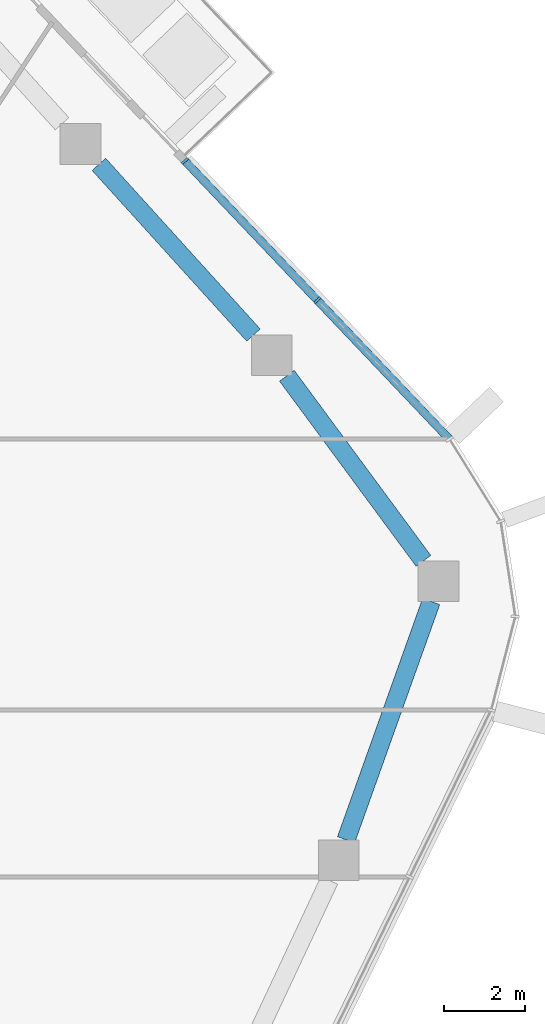
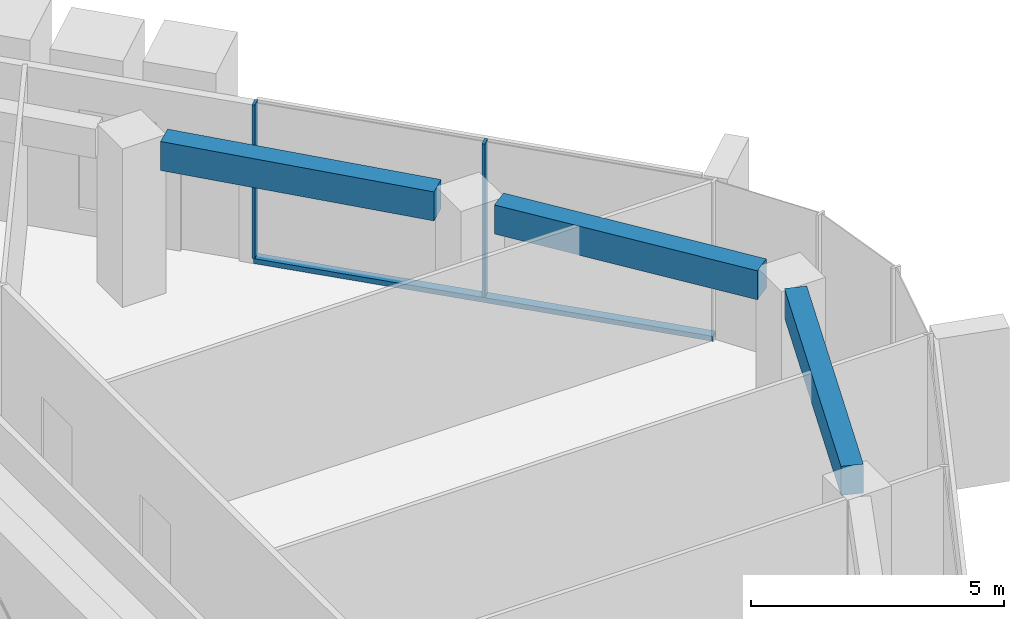
# One storey, part 8 of 23: 3 beams, 3 members, 1 element without a shape of its own.
"""IFC4 building model written with IfcOpenShell, lengths in metres."""

from ifc_helpers import new_model, si_unit, direction, frame, origin, origin_2d, place, context, subcontext, project, spatial, rectangle, extrude, material, layer, layer_set, material_profile, profile_set, type_object, element, aggregate, save


model = new_model("IFC4")

# Units and contexts
model_context = context("Model", 3, precision=1e-05, world=origin(), true_north=direction((0.0, 1.0)))
body_context = subcontext(model_context, "Body", "Model", "MODEL_VIEW")
ifc_project = project(units=[si_unit("LENGTHUNIT", "METRE"), si_unit("AREAUNIT", "SQUARE_METRE"), si_unit("VOLUMEUNIT", "CUBIC_METRE"), si_unit("PLANEANGLEUNIT", "RADIAN"), si_unit("MASSUNIT", "GRAM", prefix="KILO")], contexts=[model_context])

# Site, building, storey
site_placement = place(None, origin())
site = spatial("IfcSite", under=ifc_project, at=site_placement, CompositionType="ELEMENT")
building_placement = place(site_placement, origin())
building = spatial("IfcBuilding", under=site, at=building_placement, Name="Dongbaek Canopy Tower", CompositionType="ELEMENT")
storey_placement = place(building_placement, frame((0.0, 0.0, 336.199951171875)))
storey = spatial("IfcBuildingStorey", under=building, at=storey_placement, Name="L72", CompositionType="ELEMENT", Elevation=336.199951171875)

# Curtain wall, members
ifc_material_1 = material(Name="Aluminium 6063-T6 pale anodised", Category="aluminium")
ifc_layer = layer(ifc_material_1, 0.199951171875)
ifc_layer_set = layer_set([ifc_layer], Name="CW-1 unitised tower curtain wall")
curtain_wall_type = type_object("IfcCurtainWallType", Name="CW-1 unitised tower curtain wall", PredefinedType="NOTDEFINED", material=ifc_layer_set)
curtain_wall_placement = place(storey_placement, origin())
curtain_wall = element("IfcCurtainWall", 1, at=curtain_wall_placement, inside=storey, type_object=curtain_wall_type, Name="CW-1 curtain wall F0.1", PredefinedType="NOTDEFINED")
ifc_material_2 = material(Name="Aluminium 6063-T6 pale anodised", Category="aluminium")
ifc_material_profile_1 = material_profile(ifc_material_2, rectangle(XDim=0.199951171875, YDim=0.06005859375, at=origin_2d()), Name="CW-1 mullion 60 x 200")
ifc_profile_set_1 = profile_set([ifc_material_profile_1], Name="Aluminium 6063-T6 pale anodised")
member_type_1 = type_object("IfcMemberType", Name="CW-1 mullion 60 x 200", PredefinedType="MULLION", material=ifc_profile_set_1)
member_1_placement = place(storey_placement, frame((27.823486328125, 13.61767578125, 0.1201171875), z_axis=(0.0, 0.0, 1.0), x_axis=(0.724939653857, 0.688812382486, 0.0)))
member_1 = element("IfcMember", 2, at=member_1_placement, type_object=member_type_1, Name="CW-1 mullion F0.1.2", PredefinedType="MULLION", context=body_context, shape_type="SweptSolid", body=[
    extrude(rectangle(XDim=0.199951171875, YDim=0.06005859375, at=origin_2d()), origin(), (0.0, 0.0, 1.0), 3.699951171875),
])
member_2_placement = place(storey_placement, frame((24.5634765625, 17.048583984375, 0.1201171875), z_axis=(0.0, 0.0, 1.0), x_axis=(0.724939653857, 0.688812382486, 0.0)))
member_2 = element("IfcMember", 3, at=member_2_placement, type_object=member_type_1, Name="CW-1 mullion F0.1.3", PredefinedType="MULLION", context=body_context, shape_type="SweptSolid", body=[
    extrude(rectangle(XDim=0.199951171875, YDim=0.06005859375, at=origin_2d()), origin(), (0.0, 0.0, 1.0), 3.699951171875),
])
ifc_material_3 = material(Name="Aluminium 6063-T6 pale anodised", Category="aluminium")
ifc_material_profile_2 = material_profile(ifc_material_3, rectangle(XDim=0.199951171875, YDim=0.1201171875, at=origin_2d()), Name="CW-1 transom 120 x 200")
ifc_profile_set_2 = profile_set([ifc_material_profile_2], Name="Aluminium 6063-T6 pale anodised")
member_type_2 = type_object("IfcMemberType", Name="CW-1 transom 120 x 200", PredefinedType="USERDEFINED", material=ifc_profile_set_2)
member_3_placement = place(storey_placement, frame((31.076416015625, 10.1943359375, 0.06005859375), z_axis=(-0.688827497818, 0.724925291496, 0.0), x_axis=(-0.724925291496, -0.688827497818, 0.0)))
member_3 = element("IfcMember", 4, at=member_3_placement, type_object=member_type_2, Name="CW-1 transom F0.1.1", ObjectType="TRANSOM", PredefinedType="USERDEFINED", context=body_context, shape_type="SweptSolid", body=[
    extrude(rectangle(XDim=0.199951171875, YDim=0.1201171875, at=origin_2d()), origin(), (0.0, 0.0, 1.0), 9.455078125),
])
aggregate(curtain_wall, [member_1, member_2, member_3])

# Beams
ifc_material_4 = material(Name="Concrete C60", Category="concrete")
ifc_material_profile_3 = material_profile(ifc_material_4, rectangle(XDim=0.449951171875, YDim=0.699951171875, at=origin_2d()), Name="RC EDGE BEAM 450x700 C60")
ifc_profile_set_3 = profile_set([ifc_material_profile_3], Name="Concrete C60")
beam_type = type_object("IfcBeamType", Name="RC EDGE BEAM 450x700 C60", PredefinedType="BEAM", material=ifc_profile_set_3)
beam_1_placement = place(storey_placement, frame((22.442626953125, 16.9619140625, 3.469970703125), z_axis=(0.671227680473, -0.741251240112, 0.0), x_axis=(0.741251240112, 0.671227680473, 0.0)))
element("IfcBeam", 5, at=beam_1_placement, inside=storey, type_object=beam_type, Name="EDGEBEAM:L72:19", PredefinedType="BEAM", context=body_context, shape_type="SweptSolid", body=[
    extrude(rectangle(XDim=0.449951171875, YDim=0.699951171875, at=origin_2d()), origin(), (0.0, 0.0, 1.0), 5.672607421875),
])
beam_2_placement = place(storey_placement, frame((27.072021484375, 11.757080078125, 3.469970703125), z_axis=(0.593735402363, -0.804660345724, 0.0), x_axis=(0.804660345724, 0.593735402363, 0.0)))
element("IfcBeam", 6, at=beam_2_placement, inside=storey, type_object=beam_type, Name="EDGEBEAM:L72:20", PredefinedType="BEAM", context=body_context, shape_type="SweptSolid", body=[
    extrude(rectangle(XDim=0.449951171875, YDim=0.699951171875, at=origin_2d()), origin(), (0.0, 0.0, 1.0), 5.665771484375),
])
beam_3_placement = place(storey_placement, frame((30.626220703125, 6.197998046875, 3.469970703125), z_axis=(-0.336443121865, -0.941703788752, 0.0), x_axis=(0.941703788752, -0.336443121865, 0.0)))
element("IfcBeam", 7, at=beam_3_placement, inside=storey, type_object=beam_type, Name="EDGEBEAM:L72:21", PredefinedType="BEAM", context=body_context, shape_type="SweptSolid", body=[
    extrude(rectangle(XDim=0.449951171875, YDim=0.699951171875, at=origin_2d()), origin(), (0.0, 0.0, 1.0), 6.231201171875),
])

save(model, "model.ifc")
